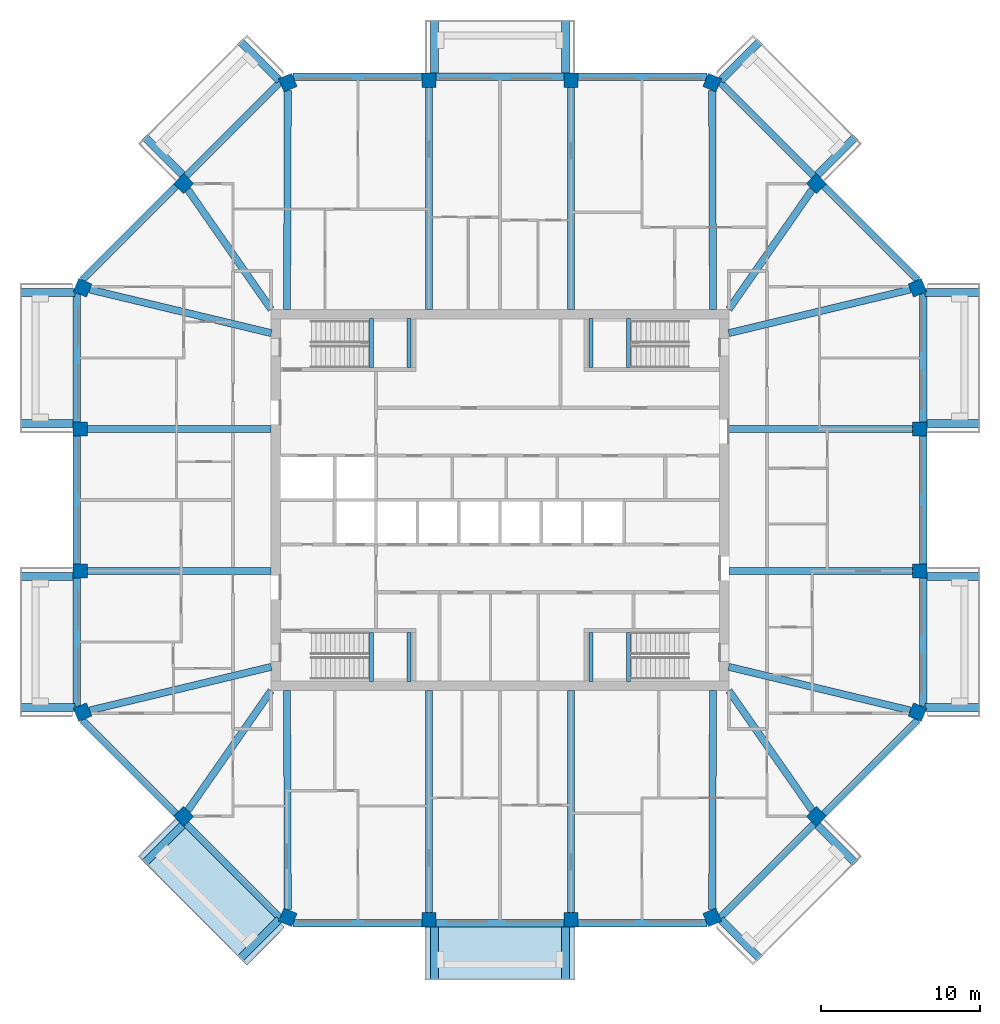
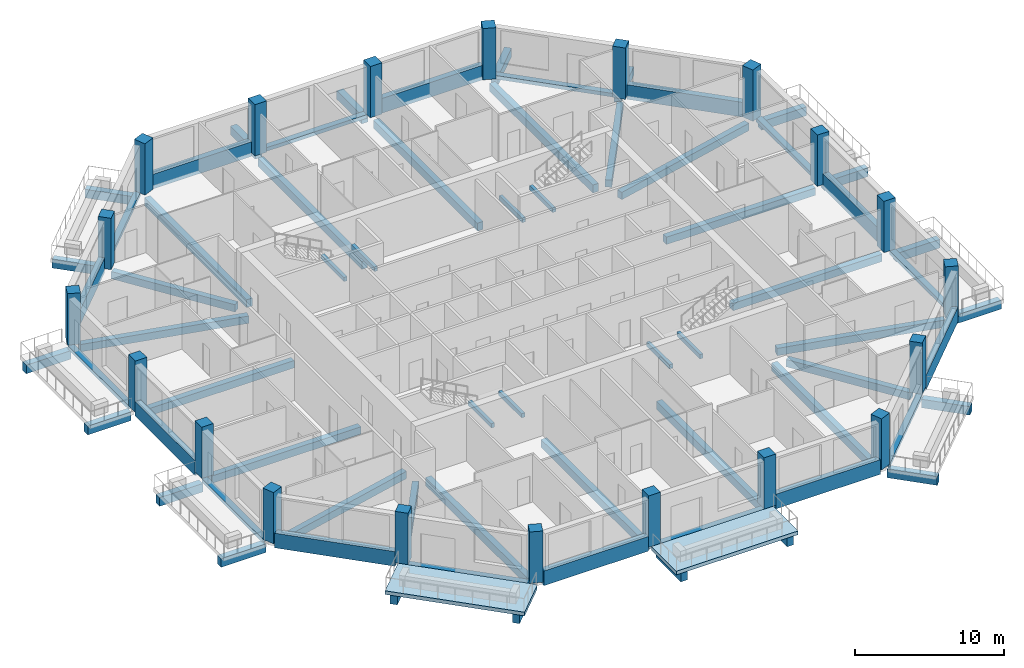
# One storey, part 1 of 12: 68 beams, 20 columns, 2 slabs.
"""IFC4 building model written with IfcOpenShell, lengths in metres."""

from ifc_helpers import new_model, si_unit, direction, frame, origin, origin_2d, place, context, subcontext, project, spatial, polyline, rectangle, outline, extrude, material, layer, layer_set, material_profile, profile_set, type_object, element, save


model = new_model("IFC4")

# Units and contexts
model_context = context("Model", 3, precision=1e-05, world=origin(), true_north=direction((0.0, 1.0)))
body_context = subcontext(model_context, "Body", "Model", "MODEL_VIEW")
ifc_project = project(units=[si_unit("LENGTHUNIT", "METRE"), si_unit("AREAUNIT", "SQUARE_METRE"), si_unit("VOLUMEUNIT", "CUBIC_METRE"), si_unit("PLANEANGLEUNIT", "RADIAN"), si_unit("MASSUNIT", "GRAM", prefix="KILO")], contexts=[model_context])

# Site, building, storey
site_placement = place(None, origin())
site = spatial("IfcSite", under=ifc_project, at=site_placement, CompositionType="ELEMENT")
building_placement = place(site_placement, origin())
building = spatial("IfcBuilding", under=site, at=building_placement, Name="Msitu Wima Residences", CompositionType="ELEMENT")
storey_placement = place(building_placement, frame((0.0, 0.0, 310.5)))
storey = spatial("IfcBuildingStorey", under=building, at=storey_placement, Name="L72", CompositionType="ELEMENT", Elevation=310.5)

# Columns
ifc_material_1 = material(Name="Concrete C50/60", Category="concrete")
ifc_material_profile_1 = material_profile(ifc_material_1, rectangle(XDim=0.89990234375, YDim=0.89990234375, at=origin_2d()), Name="RC 900x900")
ifc_profile_set_1 = profile_set([ifc_material_profile_1], Name="Concrete C50/60")
column_type = type_object("IfcColumnType", Name="Column RC 900x900 Concrete C50/60", PredefinedType="COLUMN", material=ifc_profile_set_1)
for number, where, z_axis, x_axis, name in (
    (1, (26.261962890625, -13.3486328125, 0.0), (0.0, 0.0, 1.0), (0.382683496864, 0.923879505795, 0.0), "Column L72 C-E0"),
    (2, (26.39990234375, -4.46875, 0.0), (0.0, 0.0, 1.0), (0.0, 1.0, 0.0), "Column L72 C-E1"),
    (3, (26.39990234375, 4.46875, 0.0), (0.0, 0.0, 1.0), (0.0, 1.0, 0.0), "Column L72 C-E2"),
    (4, (26.261962890625, 13.3486328125, 0.0), (0.0, 0.0, 1.0), (-0.382683496864, 0.923879505795, 0.0), "Column L72 C-NE0"),
    (5, (19.90283203125, 19.90283203125, 0.0), (0.0, 0.0, 1.0), (-0.707106781187, 0.707106781187, 0.0), "Column L72 C-NE1"),
    (6, (13.3486328125, 26.261962890625, 0.0), (0.0, 0.0, 1.0), (-0.923879505795, 0.382683496864, 0.0), "Column L72 C-N0"),
    (7, (4.46875, 26.39990234375, 0.0), (0.0, 0.0, 1.0), (-1.0, 0.0, 0.0), "Column L72 C-N1"),
    (8, (-4.46875, 26.39990234375, 0.0), (0.0, 0.0, 1.0), (-1.0, 0.0, 0.0), "Column L72 C-N2"),
    (9, (-13.3486328125, 26.261962890625, 0.0), (0.0, 0.0, 1.0), (-0.923879505795, -0.382683496864, 0.0), "Column L72 C-NW0"),
    (10, (-19.90283203125, 19.90283203125, 0.0), (0.0, 0.0, 1.0), (-0.707106781187, -0.707106781187, 0.0), "Column L72 C-NW1"),
    (11, (-26.261962890625, 13.3486328125, 0.0), (0.0, 0.0, 1.0), (-0.382683496864, -0.923879505795, 0.0), "Column L72 C-W0"),
    (12, (-26.39990234375, 4.46875, 0.0), (0.0, 0.0, 1.0), (0.0, -1.0, 0.0), "Column L72 C-W1"),
    (13, (-26.39990234375, -4.46875, 0.0), (0.0, 0.0, 1.0), (0.0, -1.0, 0.0), "Column L72 C-W2"),
    (14, (-26.261962890625, -13.3486328125, 0.0), (0.0, 0.0, 1.0), (0.382683496864, -0.923879505795, 0.0), "Column L72 C-SW0"),
    (15, (-19.90283203125, -19.90283203125, 0.0), (0.0, 0.0, 1.0), (0.707106781187, -0.707106781187, 0.0), "Column L72 C-SW1"),
    (16, (-13.3486328125, -26.261962890625, 0.0), (0.0, 0.0, 1.0), (0.923879505795, -0.382683496864, 0.0), "Column L72 C-S0"),
    (17, (-4.46875, -26.39990234375, 0.0), (0.0, 0.0, 1.0), (1.0, 0.0, 0.0), "Column L72 C-S1"),
    (18, (4.46875, -26.39990234375, 0.0), (0.0, 0.0, 1.0), (1.0, 0.0, 0.0), "Column L72 C-S2"),
    (19, (13.3486328125, -26.261962890625, 0.0), (0.0, 0.0, 1.0), (0.923879505795, 0.382683496864, 0.0), "Column L72 C-SE0"),
    (20, (19.90283203125, -19.90283203125, 0.0), (0.0, 0.0, 1.0), (0.707106781187, 0.707106781187, 0.0), "Column L72 C-SE1"),
):
    element("IfcColumn", number, at=place(storey_placement, frame(where, z_axis=z_axis, x_axis=x_axis)), inside=storey, type_object=column_type, Name=name, PredefinedType="COLUMN", context=body_context, shape_type="SweptSolid", body=[
        extrude(rectangle(XDim=0.89990234375, YDim=0.89990234375, at=origin_2d()), origin(), (0.0, 0.0, 1.0), 4.199951171875),
    ])

# Beams
ifc_material_profile_2 = material_profile(ifc_material_1, rectangle(XDim=0.449951171875, YDim=0.60009765625, at=origin_2d()), Name="RC 450x600")
ifc_profile_set_2 = profile_set([ifc_material_profile_2], Name="Concrete C50/60")
beam_type_1 = type_object("IfcBeamType", Name="Beam RC 450x600 Concrete C50/60", PredefinedType="BEAM", material=ifc_profile_set_2)
beam_1_placement = place(storey_placement, frame((25.819091796875, -13.242431640625, -0.550048828125), z_axis=(-0.972353359268, 0.233514335148, 0.0), x_axis=(-0.233514335148, -0.972353359268, 0.0)))
element("IfcBeam", 21, at=beam_1_placement, inside=storey, type_object=beam_type_1, Name="Beam L72 C-E0", PredefinedType="BEAM", context=body_context, shape_type="SweptSolid", body=[
    extrude(rectangle(XDim=0.449951171875, YDim=0.60009765625, at=origin_2d()), origin(), (0.0, 0.0, 1.0), 11.755615234375),
])
for number, where, z_axis, x_axis, name in (
    (22, (25.949951171875, -4.46875, -0.550048828125), (-1.0, 0.0, 0.0), (0.0, -1.0, 0.0), "Beam L72 C-E1"),
    (23, (25.949951171875, 4.46875, -0.550048828125), (-1.0, 0.0, 0.0), (0.0, -1.0, 0.0), "Beam L72 C-E2"),
):
    element("IfcBeam", number, at=place(storey_placement, frame(where, z_axis=z_axis, x_axis=x_axis)), inside=storey, type_object=beam_type_1, Name=name, PredefinedType="BEAM", context=body_context, shape_type="SweptSolid", body=[
        extrude(rectangle(XDim=0.449951171875, YDim=0.60009765625, at=origin_2d()), origin(), (0.0, 0.0, 1.0), 11.550048828125),
    ])
beam_2_placement = place(storey_placement, frame((25.819091796875, 13.242431640625, -0.550048828125), z_axis=(-0.972353359268, -0.233514335148, 0.0), x_axis=(0.233514335148, -0.972353359268, 0.0)))
element("IfcBeam", 24, at=beam_2_placement, inside=storey, type_object=beam_type_1, Name="Beam L72 C-NE0", PredefinedType="BEAM", context=body_context, shape_type="SweptSolid", body=[
    extrude(rectangle(XDim=0.449951171875, YDim=0.60009765625, at=origin_2d()), origin(), (0.0, 0.0, 1.0), 11.755615234375),
])
for number, where, z_axis, x_axis, name in (
    (25, (19.6416015625, 19.52783203125, -0.550048828125), (-0.571427822633, -0.820652328042, 0.0), (0.820652328042, -0.571427822633, 0.0), "Beam L72 C-NE1"),
    (26, (-19.6416015625, 19.52783203125, -0.550048828125), (0.571427822633, -0.820652328042, 0.0), (0.820652328042, 0.571427822633, 0.0), "Beam L72 C-NW1"),
):
    element("IfcBeam", number, at=place(storey_placement, frame(where, z_axis=z_axis, x_axis=x_axis)), inside=storey, type_object=beam_type_1, Name=name, PredefinedType="BEAM", context=body_context, shape_type="SweptSolid", body=[
        extrude(rectangle(XDim=0.449951171875, YDim=0.60009765625, at=origin_2d()), origin(), (0.0, 0.0, 1.0), 9.173095703125),
    ])
beam_3_placement = place(storey_placement, frame((-25.819091796875, 13.242431640625, -0.550048828125), z_axis=(0.972353359268, -0.233514335148, 0.0), x_axis=(0.233514335148, 0.972353359268, 0.0)))
element("IfcBeam", 27, at=beam_3_placement, inside=storey, type_object=beam_type_1, Name="Beam L72 C-W0", PredefinedType="BEAM", context=body_context, shape_type="SweptSolid", body=[
    extrude(rectangle(XDim=0.449951171875, YDim=0.60009765625, at=origin_2d()), origin(), (0.0, 0.0, 1.0), 11.755615234375),
])
for number, where, z_axis, x_axis, name in (
    (28, (-25.949951171875, 4.46875, -0.550048828125), (1.0, 0.0, 0.0), (0.0, 1.0, 0.0), "Beam L72 C-W1"),
    (29, (-25.949951171875, -4.46875, -0.550048828125), (1.0, 0.0, 0.0), (0.0, 1.0, 0.0), "Beam L72 C-W2"),
):
    element("IfcBeam", number, at=place(storey_placement, frame(where, z_axis=z_axis, x_axis=x_axis)), inside=storey, type_object=beam_type_1, Name=name, PredefinedType="BEAM", context=body_context, shape_type="SweptSolid", body=[
        extrude(rectangle(XDim=0.449951171875, YDim=0.60009765625, at=origin_2d()), origin(), (0.0, 0.0, 1.0), 11.550048828125),
    ])
beam_4_placement = place(storey_placement, frame((-25.819091796875, -13.242431640625, -0.550048828125), z_axis=(0.972353359268, 0.233514335148, 0.0), x_axis=(-0.233514335148, 0.972353359268, 0.0)))
element("IfcBeam", 30, at=beam_4_placement, inside=storey, type_object=beam_type_1, Name="Beam L72 C-SW0", PredefinedType="BEAM", context=body_context, shape_type="SweptSolid", body=[
    extrude(rectangle(XDim=0.449951171875, YDim=0.60009765625, at=origin_2d()), origin(), (0.0, 0.0, 1.0), 11.755615234375),
])
for number, where, z_axis, x_axis, name in (
    (31, (-19.6416015625, -19.52783203125, -0.550048828125), (0.571427822633, 0.820652328042, 0.0), (-0.820652328042, 0.571427822633, 0.0), "Beam L72 C-SW1"),
    (32, (19.6416015625, -19.52783203125, -0.550048828125), (-0.571427822633, 0.820652328042, 0.0), (-0.820652328042, -0.571427822633, 0.0), "Beam L72 C-SE1"),
):
    element("IfcBeam", number, at=place(storey_placement, frame(where, z_axis=z_axis, x_axis=x_axis)), inside=storey, type_object=beam_type_1, Name=name, PredefinedType="BEAM", context=body_context, shape_type="SweptSolid", body=[
        extrude(rectangle(XDim=0.449951171875, YDim=0.60009765625, at=origin_2d()), origin(), (0.0, 0.0, 1.0), 9.173095703125),
    ])
ifc_material_profile_3 = material_profile(ifc_material_1, rectangle(XDim=0.449951171875, YDim=0.64990234375, at=origin_2d()), Name="RC 450x650")
ifc_profile_set_3 = profile_set([ifc_material_profile_3], Name="Concrete C50/60")
beam_type_2 = type_object("IfcBeamType", Name="Beam RC 450x650 Concrete C50/60", PredefinedType="BEAM", material=ifc_profile_set_3)
beam_5_placement = place(storey_placement, frame((13.3505859375, 25.774169921875, -0.574951171875), z_axis=(0.003594933206, -0.999993538207, 0.0), x_axis=(0.999993538207, 0.003594933206, 0.0)))
element("IfcBeam", 33, at=beam_5_placement, inside=storey, type_object=beam_type_2, Name="Beam L72 C-N0", PredefinedType="BEAM", context=body_context, shape_type="SweptSolid", body=[
    extrude(rectangle(XDim=0.449951171875, YDim=0.64990234375, at=origin_2d()), origin(), (0.0, 0.0, 1.0), 13.7861328125),
])
for number, where, z_axis, x_axis, name in (
    (34, (4.46875, 25.949951171875, -0.574951171875), (0.0, -1.0, 0.0), (1.0, 0.0, 0.0), "Beam L72 C-N1"),
    (35, (-4.46875, 25.949951171875, -0.574951171875), (0.0, -1.0, 0.0), (1.0, 0.0, 0.0), "Beam L72 C-N2"),
):
    element("IfcBeam", number, at=place(storey_placement, frame(where, z_axis=z_axis, x_axis=x_axis)), inside=storey, type_object=beam_type_2, Name=name, PredefinedType="BEAM", context=body_context, shape_type="SweptSolid", body=[
        extrude(rectangle(XDim=0.449951171875, YDim=0.64990234375, at=origin_2d()), origin(), (0.0, 0.0, 1.0), 13.949951171875),
    ])
for number, where, z_axis, x_axis, name in (
    (36, (-13.3505859375, 25.774169921875, -0.574951171875), (-0.003594933206, -0.999993538207, 0.0), (0.999993538207, -0.003594933206, 0.0), "Beam L72 C-NW0"),
    (37, (-13.3505859375, -25.774169921875, -0.574951171875), (-0.003594933206, 0.999993538207, 0.0), (-0.999993538207, -0.003594933206, 0.0), "Beam L72 C-S0"),
):
    element("IfcBeam", number, at=place(storey_placement, frame(where, z_axis=z_axis, x_axis=x_axis)), inside=storey, type_object=beam_type_2, Name=name, PredefinedType="BEAM", context=body_context, shape_type="SweptSolid", body=[
        extrude(rectangle(XDim=0.449951171875, YDim=0.64990234375, at=origin_2d()), origin(), (0.0, 0.0, 1.0), 13.7861328125),
    ])
for number, where, z_axis, x_axis, name in (
    (38, (-4.46875, -25.949951171875, -0.574951171875), (0.0, 1.0, 0.0), (-1.0, 0.0, 0.0), "Beam L72 C-S1"),
    (39, (4.46875, -25.949951171875, -0.574951171875), (0.0, 1.0, 0.0), (-1.0, 0.0, 0.0), "Beam L72 C-S2"),
):
    element("IfcBeam", number, at=place(storey_placement, frame(where, z_axis=z_axis, x_axis=x_axis)), inside=storey, type_object=beam_type_2, Name=name, PredefinedType="BEAM", context=body_context, shape_type="SweptSolid", body=[
        extrude(rectangle(XDim=0.449951171875, YDim=0.64990234375, at=origin_2d()), origin(), (0.0, 0.0, 1.0), 13.949951171875),
    ])
beam_6_placement = place(storey_placement, frame((13.3505859375, -25.774169921875, -0.574951171875), z_axis=(0.003594933206, 0.999993538207, 0.0), x_axis=(-0.999993538207, 0.003594933206, 0.0)))
element("IfcBeam", 40, at=beam_6_placement, inside=storey, type_object=beam_type_2, Name="Beam L72 C-SE0", PredefinedType="BEAM", context=body_context, shape_type="SweptSolid", body=[
    extrude(rectangle(XDim=0.449951171875, YDim=0.64990234375, at=origin_2d()), origin(), (0.0, 0.0, 1.0), 13.7861328125),
])
ifc_material_profile_4 = material_profile(ifc_material_1, rectangle(XDim=0.5, YDim=0.699951171875, at=origin_2d()), Name="RC 500x700")
ifc_profile_set_4 = profile_set([ifc_material_profile_4], Name="Concrete C50/60")
beam_type_3 = type_object("IfcBeamType", Name="Cantilever beam RC 500x700 Concrete C50/60", PredefinedType="BEAM", material=ifc_profile_set_4)
beam_7_placement = place(storey_placement, frame((26.73095703125, -13.055908203125, -0.64990234375), z_axis=(1.0, 0.0, 0.0), x_axis=(0.0, 1.0, 0.0)))
element("IfcBeam", 41, at=beam_7_placement, inside=storey, type_object=beam_type_3, Name="Cantilever beam L72 BA-E0 A", PredefinedType="BEAM", context=body_context, shape_type="SweptSolid", body=[
    extrude(rectangle(XDim=0.5, YDim=0.699951171875, at=origin_2d()), origin(), (0.0, 0.0, 1.0), 3.468994140625),
])
for number, where, z_axis, x_axis, name in (
    (42, (26.85009765625, -4.818603515625, -0.64990234375), (1.0, 0.0, 0.0), (0.0, 1.0, 0.0), "Cantilever beam L72 BA-E0 B"),
    (43, (26.85009765625, 4.818603515625, -0.64990234375), (1.0, 0.0, 0.0), (0.0, 1.0, 0.0), "Cantilever beam L72 BA-E2 A"),
):
    element("IfcBeam", number, at=place(storey_placement, frame(where, z_axis=z_axis, x_axis=x_axis)), inside=storey, type_object=beam_type_3, Name=name, PredefinedType="BEAM", context=body_context, shape_type="SweptSolid", body=[
        extrude(rectangle(XDim=0.5, YDim=0.699951171875, at=origin_2d()), origin(), (0.0, 0.0, 1.0), 3.349853515625),
    ])
beam_8_placement = place(storey_placement, frame((26.73095703125, 13.055908203125, -0.64990234375), z_axis=(1.0, 0.0, 0.0), x_axis=(0.0, 1.0, 0.0)))
element("IfcBeam", 44, at=beam_8_placement, inside=storey, type_object=beam_type_3, Name="Cantilever beam L72 BA-E2 B", PredefinedType="BEAM", context=body_context, shape_type="SweptSolid", body=[
    extrude(rectangle(XDim=0.5, YDim=0.699951171875, at=origin_2d()), origin(), (0.0, 0.0, 1.0), 3.468994140625),
])
beam_9_placement = place(storey_placement, frame((19.9736328125, 20.46875, -0.64990234375), z_axis=(0.707143219659, 0.707070340836, 0.0), x_axis=(-0.707070340836, 0.707143219659, 0.0)))
element("IfcBeam", 45, at=beam_9_placement, inside=storey, type_object=beam_type_3, Name="Cantilever beam L72 BA-NE1 A", PredefinedType="BEAM", context=body_context, shape_type="SweptSolid", body=[
    extrude(rectangle(XDim=0.5, YDim=0.699951171875, at=origin_2d()), origin(), (0.0, 0.0, 1.0), 3.349853515625),
])
beam_10_placement = place(storey_placement, frame((13.887451171875, 26.386474609375, -0.64990234375), z_axis=(0.707071592116, 0.707141968506, 0.0), x_axis=(-0.707141968506, 0.707071592116, 0.0)))
element("IfcBeam", 46, at=beam_10_placement, inside=storey, type_object=beam_type_3, Name="Cantilever beam L72 BA-NE1 B", PredefinedType="BEAM", context=body_context, shape_type="SweptSolid", body=[
    extrude(rectangle(XDim=0.5, YDim=0.699951171875, at=origin_2d()), origin(), (0.0, 0.0, 1.0), 3.468994140625),
])
for number, where, z_axis, x_axis, name in (
    (47, (4.11865234375, 26.85009765625, -0.64990234375), (0.0, 1.0, 0.0), (-1.0, 0.0, 0.0), "Cantilever beam L72 BA-N1 A"),
    (48, (-4.11865234375, 26.85009765625, -0.64990234375), (0.0, 1.0, 0.0), (-1.0, 0.0, 0.0), "Cantilever beam L72 BA-N1 B"),
):
    element("IfcBeam", number, at=place(storey_placement, frame(where, z_axis=z_axis, x_axis=x_axis)), inside=storey, type_object=beam_type_3, Name=name, PredefinedType="BEAM", context=body_context, shape_type="SweptSolid", body=[
        extrude(rectangle(XDim=0.5, YDim=0.699951171875, at=origin_2d()), origin(), (0.0, 0.0, 1.0), 3.349853515625),
    ])
beam_11_placement = place(storey_placement, frame((-13.887451171875, 26.386474609375, -0.64990234375), z_axis=(-0.707071592116, 0.707141968506, 0.0), x_axis=(-0.707141968506, -0.707071592116, 0.0)))
element("IfcBeam", 49, at=beam_11_placement, inside=storey, type_object=beam_type_3, Name="Cantilever beam L72 BA-NW0 A", PredefinedType="BEAM", context=body_context, shape_type="SweptSolid", body=[
    extrude(rectangle(XDim=0.5, YDim=0.699951171875, at=origin_2d()), origin(), (0.0, 0.0, 1.0), 3.468994140625),
])
beam_12_placement = place(storey_placement, frame((-19.9736328125, 20.46875, -0.64990234375), z_axis=(-0.707143219659, 0.707070340836, 0.0), x_axis=(-0.707070340836, -0.707143219659, 0.0)))
element("IfcBeam", 50, at=beam_12_placement, inside=storey, type_object=beam_type_3, Name="Cantilever beam L72 BA-NW0 B", PredefinedType="BEAM", context=body_context, shape_type="SweptSolid", body=[
    extrude(rectangle(XDim=0.5, YDim=0.699951171875, at=origin_2d()), origin(), (0.0, 0.0, 1.0), 3.349853515625),
])
beam_13_placement = place(storey_placement, frame((-26.73095703125, 13.055908203125, -0.64990234375), z_axis=(-1.0, 0.0, 0.0), x_axis=(0.0, -1.0, 0.0)))
element("IfcBeam", 51, at=beam_13_placement, inside=storey, type_object=beam_type_3, Name="Cantilever beam L72 BA-W0 A", PredefinedType="BEAM", context=body_context, shape_type="SweptSolid", body=[
    extrude(rectangle(XDim=0.5, YDim=0.699951171875, at=origin_2d()), origin(), (0.0, 0.0, 1.0), 3.468994140625),
])
for number, where, z_axis, x_axis, name in (
    (52, (-26.85009765625, 4.818603515625, -0.64990234375), (-1.0, 0.0, 0.0), (0.0, -1.0, 0.0), "Cantilever beam L72 BA-W0 B"),
    (53, (-26.85009765625, -4.818603515625, -0.64990234375), (-1.0, 0.0, 0.0), (0.0, -1.0, 0.0), "Cantilever beam L72 BA-W2 A"),
):
    element("IfcBeam", number, at=place(storey_placement, frame(where, z_axis=z_axis, x_axis=x_axis)), inside=storey, type_object=beam_type_3, Name=name, PredefinedType="BEAM", context=body_context, shape_type="SweptSolid", body=[
        extrude(rectangle(XDim=0.5, YDim=0.699951171875, at=origin_2d()), origin(), (0.0, 0.0, 1.0), 3.349853515625),
    ])
beam_14_placement = place(storey_placement, frame((-26.73095703125, -13.055908203125, -0.64990234375), z_axis=(-1.0, 0.0, 0.0), x_axis=(0.0, -1.0, 0.0)))
element("IfcBeam", 54, at=beam_14_placement, inside=storey, type_object=beam_type_3, Name="Cantilever beam L72 BA-W2 B", PredefinedType="BEAM", context=body_context, shape_type="SweptSolid", body=[
    extrude(rectangle(XDim=0.5, YDim=0.699951171875, at=origin_2d()), origin(), (0.0, 0.0, 1.0), 3.468994140625),
])
beam_15_placement = place(storey_placement, frame((-19.9736328125, -20.46875, -0.64990234375), z_axis=(-0.707143219659, -0.707070340836, 0.0), x_axis=(0.707070340836, -0.707143219659, 0.0)))
element("IfcBeam", 55, at=beam_15_placement, inside=storey, type_object=beam_type_3, Name="Cantilever beam L72 BA-SW1 A", PredefinedType="BEAM", context=body_context, shape_type="SweptSolid", body=[
    extrude(rectangle(XDim=0.5, YDim=0.699951171875, at=origin_2d()), origin(), (0.0, 0.0, 1.0), 3.349853515625),
])
beam_16_placement = place(storey_placement, frame((-13.887451171875, -26.386474609375, -0.64990234375), z_axis=(-0.707071592116, -0.707141968506, 0.0), x_axis=(0.707141968506, -0.707071592116, 0.0)))
element("IfcBeam", 56, at=beam_16_placement, inside=storey, type_object=beam_type_3, Name="Cantilever beam L72 BA-SW1 B", PredefinedType="BEAM", context=body_context, shape_type="SweptSolid", body=[
    extrude(rectangle(XDim=0.5, YDim=0.699951171875, at=origin_2d()), origin(), (0.0, 0.0, 1.0), 3.468994140625),
])
for number, where, z_axis, x_axis, name in (
    (57, (-4.11865234375, -26.85009765625, -0.64990234375), (0.0, -1.0, 0.0), (1.0, 0.0, 0.0), "Cantilever beam L72 BA-S1 A"),
    (58, (4.11865234375, -26.85009765625, -0.64990234375), (0.0, -1.0, 0.0), (1.0, 0.0, 0.0), "Cantilever beam L72 BA-S1 B"),
):
    element("IfcBeam", number, at=place(storey_placement, frame(where, z_axis=z_axis, x_axis=x_axis)), inside=storey, type_object=beam_type_3, Name=name, PredefinedType="BEAM", context=body_context, shape_type="SweptSolid", body=[
        extrude(rectangle(XDim=0.5, YDim=0.699951171875, at=origin_2d()), origin(), (0.0, 0.0, 1.0), 3.349853515625),
    ])
beam_17_placement = place(storey_placement, frame((13.887451171875, -26.386474609375, -0.64990234375), z_axis=(0.707071592116, -0.707141968506, 0.0), x_axis=(0.707141968506, 0.707071592116, 0.0)))
element("IfcBeam", 59, at=beam_17_placement, inside=storey, type_object=beam_type_3, Name="Cantilever beam L72 BA-SE0 A", PredefinedType="BEAM", context=body_context, shape_type="SweptSolid", body=[
    extrude(rectangle(XDim=0.5, YDim=0.699951171875, at=origin_2d()), origin(), (0.0, 0.0, 1.0), 3.468994140625),
])
beam_18_placement = place(storey_placement, frame((19.9736328125, -20.46875, -0.64990234375), z_axis=(0.707143219659, -0.707070340836, 0.0), x_axis=(0.707070340836, 0.707143219659, 0.0)))
element("IfcBeam", 60, at=beam_18_placement, inside=storey, type_object=beam_type_3, Name="Cantilever beam L72 BA-SE0 B", PredefinedType="BEAM", context=body_context, shape_type="SweptSolid", body=[
    extrude(rectangle(XDim=0.5, YDim=0.699951171875, at=origin_2d()), origin(), (0.0, 0.0, 1.0), 3.349853515625),
])
ifc_material_profile_5 = material_profile(ifc_material_1, rectangle(XDim=0.449951171875, YDim=0.300048828125, at=origin_2d()), Name="RC 450x300")
ifc_profile_set_5 = profile_set([ifc_material_profile_5], Name="Concrete C50/60")
beam_type_4 = type_object("IfcBeamType", Name="Edge beam RC 450x300 Concrete C50/60", PredefinedType="SPANDREL", material=ifc_profile_set_5)
for number, where, z_axis, x_axis, name in (
    (61, (26.625, -13.02392578125, -0.14990234375), (0.0, 1.0, 0.0), (-1.0, 0.0, 0.0), "Spandrel L72 E0"),
    (62, (26.625, 4.918701171875, -0.14990234375), (0.0, 1.0, 0.0), (-1.0, 0.0, 0.0), "Spandrel L72 E2"),
):
    element("IfcBeam", number, at=place(storey_placement, frame(where, z_axis=z_axis, x_axis=x_axis)), inside=storey, type_object=beam_type_4, Name=name, PredefinedType="SPANDREL", context=body_context, shape_type="SweptSolid", body=[
        extrude(rectangle(XDim=0.449951171875, YDim=0.300048828125, at=origin_2d()), origin(), (0.0, 0.0, 1.0), 8.105224609375),
    ])
beam_19_placement = place(storey_placement, frame((19.743896484375, 20.380126953125, -0.14990234375), z_axis=(-0.707106781187, 0.707106781187, 0.0), x_axis=(-0.707106781187, -0.707106781187, 0.0)))
element("IfcBeam", 63, at=beam_19_placement, inside=storey, type_object=beam_type_4, Name="Spandrel L72 NE1", PredefinedType="SPANDREL", context=body_context, shape_type="SweptSolid", body=[
    extrude(rectangle(XDim=0.449951171875, YDim=0.300048828125, at=origin_2d()), origin(), (0.0, 0.0, 1.0), 8.3564453125),
])
beam_20_placement = place(storey_placement, frame((4.0185546875, 26.625, -0.14990234375), z_axis=(-1.0, 0.0, 0.0), x_axis=(0.0, -1.0, 0.0)))
element("IfcBeam", 64, at=beam_20_placement, inside=storey, type_object=beam_type_4, Name="Spandrel L72 N1", PredefinedType="SPANDREL", context=body_context, shape_type="SweptSolid", body=[
    extrude(rectangle(XDim=0.449951171875, YDim=0.300048828125, at=origin_2d()), origin(), (0.0, 0.0, 1.0), 8.037109375),
])
beam_21_placement = place(storey_placement, frame((-13.8349609375, 26.2890625, -0.14990234375), z_axis=(-0.707106781187, -0.707106781187, 0.0), x_axis=(0.707106781187, -0.707106781187, 0.0)))
element("IfcBeam", 65, at=beam_21_placement, inside=storey, type_object=beam_type_4, Name="Spandrel L72 NW0", PredefinedType="SPANDREL", context=body_context, shape_type="SweptSolid", body=[
    extrude(rectangle(XDim=0.449951171875, YDim=0.300048828125, at=origin_2d()), origin(), (0.0, 0.0, 1.0), 8.3564453125),
])
for number, where, z_axis, x_axis, name in (
    (66, (-26.625, 13.02392578125, -0.14990234375), (0.0, -1.0, 0.0), (1.0, 0.0, 0.0), "Spandrel L72 W0"),
    (67, (-26.625, -4.918701171875, -0.14990234375), (0.0, -1.0, 0.0), (1.0, 0.0, 0.0), "Spandrel L72 W2"),
):
    element("IfcBeam", number, at=place(storey_placement, frame(where, z_axis=z_axis, x_axis=x_axis)), inside=storey, type_object=beam_type_4, Name=name, PredefinedType="SPANDREL", context=body_context, shape_type="SweptSolid", body=[
        extrude(rectangle(XDim=0.449951171875, YDim=0.300048828125, at=origin_2d()), origin(), (0.0, 0.0, 1.0), 8.105224609375),
    ])
beam_22_placement = place(storey_placement, frame((-19.743896484375, -20.380126953125, -0.14990234375), z_axis=(0.707106781187, -0.707106781187, 0.0), x_axis=(0.707106781187, 0.707106781187, 0.0)))
element("IfcBeam", 68, at=beam_22_placement, inside=storey, type_object=beam_type_4, Name="Spandrel L72 SW1", PredefinedType="SPANDREL", context=body_context, shape_type="SweptSolid", body=[
    extrude(rectangle(XDim=0.449951171875, YDim=0.300048828125, at=origin_2d()), origin(), (0.0, 0.0, 1.0), 8.3564453125),
])
beam_23_placement = place(storey_placement, frame((-4.0185546875, -26.625, -0.14990234375), z_axis=(1.0, 0.0, 0.0), x_axis=(0.0, 1.0, 0.0)))
element("IfcBeam", 69, at=beam_23_placement, inside=storey, type_object=beam_type_4, Name="Spandrel L72 S1", PredefinedType="SPANDREL", context=body_context, shape_type="SweptSolid", body=[
    extrude(rectangle(XDim=0.449951171875, YDim=0.300048828125, at=origin_2d()), origin(), (0.0, 0.0, 1.0), 8.037109375),
])
beam_24_placement = place(storey_placement, frame((13.8349609375, -26.2890625, -0.14990234375), z_axis=(0.707106781187, 0.707106781187, 0.0), x_axis=(-0.707106781187, 0.707106781187, 0.0)))
element("IfcBeam", 70, at=beam_24_placement, inside=storey, type_object=beam_type_4, Name="Spandrel L72 SE0", PredefinedType="SPANDREL", context=body_context, shape_type="SweptSolid", body=[
    extrude(rectangle(XDim=0.449951171875, YDim=0.300048828125, at=origin_2d()), origin(), (0.0, 0.0, 1.0), 8.3564453125),
])
ifc_material_2 = material(Name="Concrete C40/50", Category="concrete")
ifc_material_profile_6 = material_profile(ifc_material_2, rectangle(XDim=0.25, YDim=0.35009765625, at=origin_2d()), Name="RC 250x350")
ifc_profile_set_6 = profile_set([ifc_material_profile_6], Name="Concrete C40/50")
beam_type_5 = type_object("IfcBeamType", Name="Landing beam RC 250x350", PredefinedType="BEAM", material=ifc_profile_set_6)
for number, where, z_axis, x_axis, name in (
    (71, (-8.074951171875, 8.324951171875, 1.72509765625), (0.0, 1.0, 0.0), (-1.0, 0.0, 0.0), "Stair 1 landing beam"),
    (72, (-5.72509765625, 8.324951171875, 1.72509765625), (0.0, 1.0, 0.0), (-1.0, 0.0, 0.0), "Stair 1 landing beam"),
    (73, (-8.074951171875, -11.425048828125, 1.72509765625), (0.0, 1.0, 0.0), (-1.0, 0.0, 0.0), "Stair 2 landing beam"),
    (74, (-5.72509765625, -11.425048828125, 1.72509765625), (0.0, 1.0, 0.0), (-1.0, 0.0, 0.0), "Stair 2 landing beam"),
    (75, (8.074951171875, 8.324951171875, 1.72509765625), (0.0, 1.0, 0.0), (-1.0, 0.0, 0.0), "Stair 3 landing beam"),
    (76, (5.72509765625, 8.324951171875, 1.72509765625), (0.0, 1.0, 0.0), (-1.0, 0.0, 0.0), "Stair 3 landing beam"),
    (77, (8.074951171875, -11.425048828125, 1.72509765625), (0.0, 1.0, 0.0), (-1.0, 0.0, 0.0), "Stair 4 landing beam"),
    (78, (5.72509765625, -11.425048828125, 1.72509765625), (0.0, 1.0, 0.0), (-1.0, 0.0, 0.0), "Stair 4 landing beam"),
):
    element("IfcBeam", number, at=place(storey_placement, frame(where, z_axis=z_axis, x_axis=x_axis)), inside=storey, type_object=beam_type_5, Name=name, PredefinedType="BEAM", context=body_context, shape_type="SweptSolid", body=[
        extrude(rectangle(XDim=0.25, YDim=0.35009765625, at=origin_2d()), origin(), (0.0, 0.0, 1.0), 3.10009765625),
    ])
ifc_material_profile_7 = material_profile(ifc_material_1, rectangle(XDim=0.449951171875, YDim=1.199951171875, at=origin_2d()), Name="RC 450x1200")
ifc_profile_set_7 = profile_set([ifc_material_profile_7], Name="Concrete C50/60")
beam_type_6 = type_object("IfcBeamType", Name="Spandrel RC 450x1200 Concrete C50/60", PredefinedType="SPANDREL", material=ifc_profile_set_7)
beam_25_placement = place(storey_placement, frame((26.625, -4.0185546875, 0.300048828125), z_axis=(0.0, 1.0, 0.0), x_axis=(-1.0, 0.0, 0.0)))
element("IfcBeam", 79, at=beam_25_placement, inside=storey, type_object=beam_type_6, Name="Spandrel L72 E1", PredefinedType="SPANDREL", context=body_context, shape_type="SweptSolid", body=[
    extrude(rectangle(XDim=0.449951171875, YDim=1.199951171875, at=origin_2d()), origin(), (0.0, 0.0, 1.0), 8.037109375),
])
beam_26_placement = place(storey_placement, frame((26.2890625, 13.8349609375, 0.300048828125), z_axis=(-0.707106781187, 0.707106781187, 0.0), x_axis=(-0.707106781187, -0.707106781187, 0.0)))
element("IfcBeam", 80, at=beam_26_placement, inside=storey, type_object=beam_type_6, Name="Spandrel L72 NE0", PredefinedType="SPANDREL", context=body_context, shape_type="SweptSolid", body=[
    extrude(rectangle(XDim=0.449951171875, YDim=1.199951171875, at=origin_2d()), origin(), (0.0, 0.0, 1.0), 8.3564453125),
])
for number, where, z_axis, x_axis, name in (
    (81, (13.02392578125, 26.625, 0.300048828125), (-1.0, 0.0, 0.0), (0.0, -1.0, 0.0), "Spandrel L72 N0"),
    (82, (-4.918701171875, 26.625, 0.300048828125), (-1.0, 0.0, 0.0), (0.0, -1.0, 0.0), "Spandrel L72 N2"),
):
    element("IfcBeam", number, at=place(storey_placement, frame(where, z_axis=z_axis, x_axis=x_axis)), inside=storey, type_object=beam_type_6, Name=name, PredefinedType="SPANDREL", context=body_context, shape_type="SweptSolid", body=[
        extrude(rectangle(XDim=0.449951171875, YDim=1.199951171875, at=origin_2d()), origin(), (0.0, 0.0, 1.0), 8.105224609375),
    ])
beam_27_placement = place(storey_placement, frame((-20.380126953125, 19.743896484375, 0.300048828125), z_axis=(-0.707106781187, -0.707106781187, 0.0), x_axis=(0.707106781187, -0.707106781187, 0.0)))
element("IfcBeam", 83, at=beam_27_placement, inside=storey, type_object=beam_type_6, Name="Spandrel L72 NW1", PredefinedType="SPANDREL", context=body_context, shape_type="SweptSolid", body=[
    extrude(rectangle(XDim=0.449951171875, YDim=1.199951171875, at=origin_2d()), origin(), (0.0, 0.0, 1.0), 8.3564453125),
])
beam_28_placement = place(storey_placement, frame((-26.625, 4.0185546875, 0.300048828125), z_axis=(0.0, -1.0, 0.0), x_axis=(1.0, 0.0, 0.0)))
element("IfcBeam", 84, at=beam_28_placement, inside=storey, type_object=beam_type_6, Name="Spandrel L72 W1", PredefinedType="SPANDREL", context=body_context, shape_type="SweptSolid", body=[
    extrude(rectangle(XDim=0.449951171875, YDim=1.199951171875, at=origin_2d()), origin(), (0.0, 0.0, 1.0), 8.037109375),
])
beam_29_placement = place(storey_placement, frame((-26.2890625, -13.8349609375, 0.300048828125), z_axis=(0.707106781187, -0.707106781187, 0.0), x_axis=(0.707106781187, 0.707106781187, 0.0)))
element("IfcBeam", 85, at=beam_29_placement, inside=storey, type_object=beam_type_6, Name="Spandrel L72 SW0", PredefinedType="SPANDREL", context=body_context, shape_type="SweptSolid", body=[
    extrude(rectangle(XDim=0.449951171875, YDim=1.199951171875, at=origin_2d()), origin(), (0.0, 0.0, 1.0), 8.3564453125),
])
for number, where, z_axis, x_axis, name in (
    (86, (-13.02392578125, -26.625, 0.300048828125), (1.0, 0.0, 0.0), (0.0, 1.0, 0.0), "Spandrel L72 S0"),
    (87, (4.918701171875, -26.625, 0.300048828125), (1.0, 0.0, 0.0), (0.0, 1.0, 0.0), "Spandrel L72 S2"),
):
    element("IfcBeam", number, at=place(storey_placement, frame(where, z_axis=z_axis, x_axis=x_axis)), inside=storey, type_object=beam_type_6, Name=name, PredefinedType="SPANDREL", context=body_context, shape_type="SweptSolid", body=[
        extrude(rectangle(XDim=0.449951171875, YDim=1.199951171875, at=origin_2d()), origin(), (0.0, 0.0, 1.0), 8.105224609375),
    ])
beam_30_placement = place(storey_placement, frame((20.380126953125, -19.743896484375, 0.300048828125), z_axis=(0.707106781187, 0.707106781187, 0.0), x_axis=(-0.707106781187, 0.707106781187, 0.0)))
element("IfcBeam", 88, at=beam_30_placement, inside=storey, type_object=beam_type_6, Name="Spandrel L72 SE1", PredefinedType="SPANDREL", context=body_context, shape_type="SweptSolid", body=[
    extrude(rectangle(XDim=0.449951171875, YDim=1.199951171875, at=origin_2d()), origin(), (0.0, 0.0, 1.0), 8.3564453125),
])

# Slabs
ifc_layer = layer(ifc_material_2, 0.300048828125)
ifc_layer_set = layer_set([ifc_layer], Name="Concrete C40/50")
slab_type = type_object("IfcSlabType", Name="Balcony slab BS300", PredefinedType="FLOOR", material=ifc_layer_set)
slab_1_placement = place(storey_placement, frame((0.0, 0.0, -0.300048828125)))
element("IfcSlab", 89, at=slab_1_placement, inside=storey, type_object=slab_type, Name="Balcony SW1 L72", PredefinedType="FLOOR", context=body_context, shape_type="SweptSolid", body=[
    extrude(outline(polyline([(-13.936767578125, -26.505615234375), (-13.936767578125, -26.505615234375), (-13.59228515625, -26.85009765625), (-13.656005859375, -27.003662109375), (-15.916015625, -29.263671875), (-22.766845703125, -22.4130859375), (-20.39794921875, -20.04443359375), (-13.936767578125, -26.505615234375), (-13.936767578125, -26.505615234375)])), origin(), (0.0, 0.0, 1.0), 0.300048828125),
])
slab_2_placement = place(storey_placement, frame((0.0, 0.0, -0.300048828125)))
element("IfcSlab", 90, at=slab_2_placement, inside=storey, type_object=slab_type, Name="Balcony S1 L72", PredefinedType="FLOOR", context=body_context, shape_type="SweptSolid", body=[
    extrude(outline(polyline([(-4.0185546875, -26.85009765625), (4.0185546875, -26.85009765625), (4.71875, -26.85009765625), (4.71875, -30.199951171875), (-4.71875, -30.199951171875), (-4.71875, -26.85009765625), (-4.0185546875, -26.85009765625)])), origin(), (0.0, 0.0, 1.0), 0.300048828125),
])

save(model, "model.ifc")
